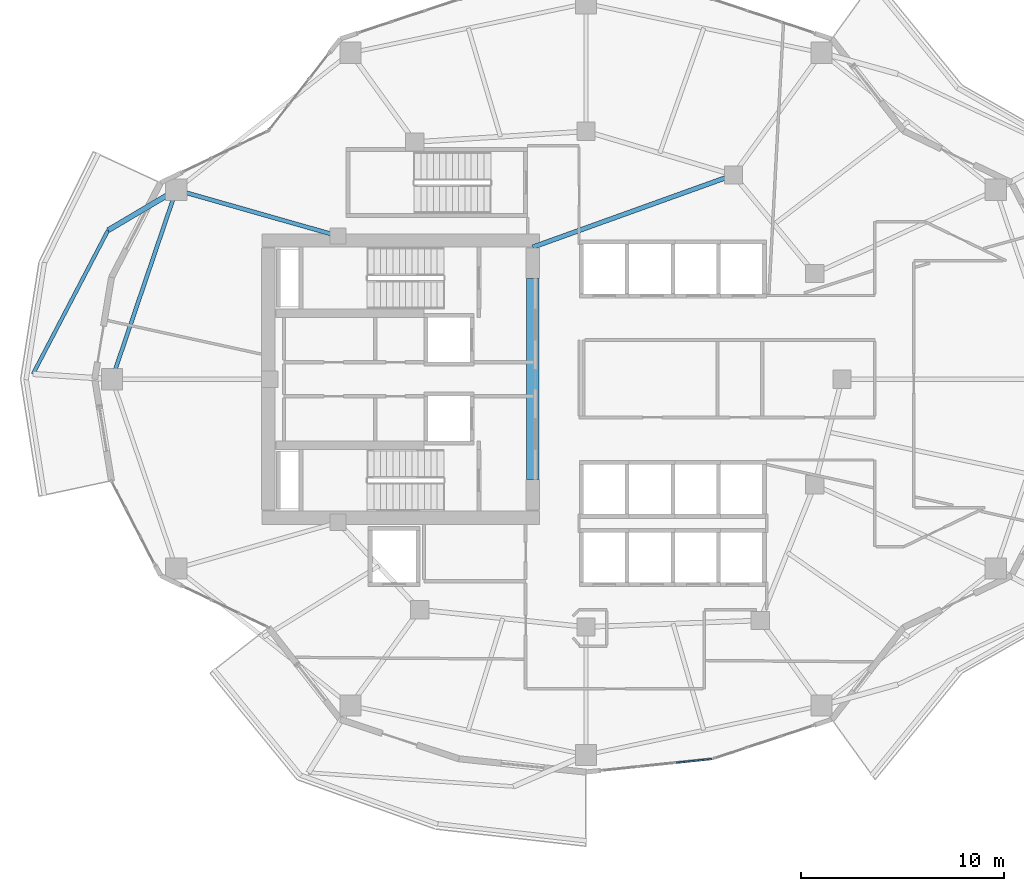
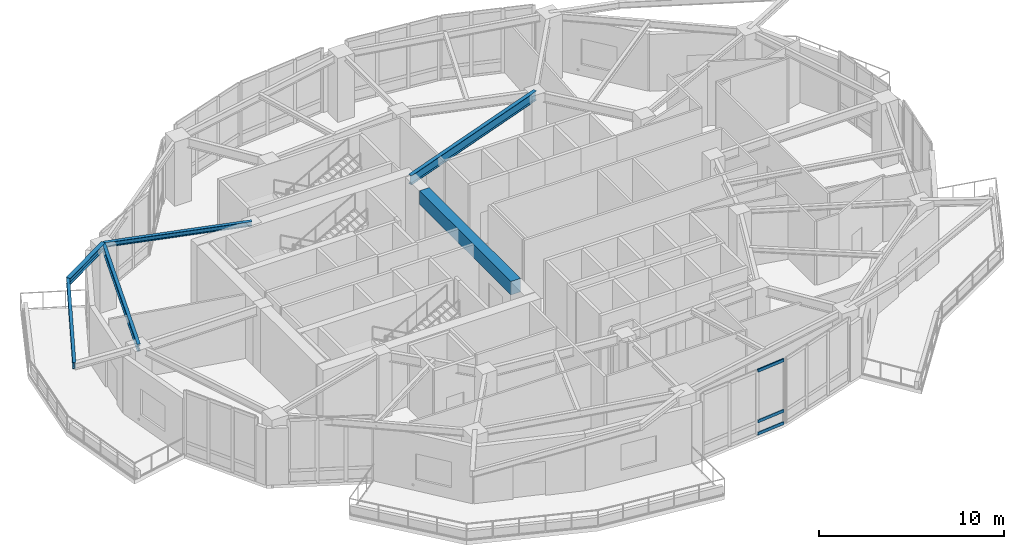
# One storey, part 3 of 16: 6 beams, 3 members, 1 element without a shape of its own.
"""IFC4 building model written with IfcOpenShell, lengths in metres."""

from ifc_helpers import new_model, si_unit, direction, frame, origin, origin_2d, place, context, subcontext, project, spatial, rectangle, i_section, extrude, material, layer, layer_set, material_profile, profile_set, type_object, element, aggregate, save


model = new_model("IFC4")

# Units and contexts
model_context = context("Model", 3, precision=1e-05, world=origin(), true_north=direction((0.0, 1.0)))
body_context = subcontext(model_context, "Body", "Model", "MODEL_VIEW")
ifc_project = project(units=[si_unit("LENGTHUNIT", "METRE"), si_unit("AREAUNIT", "SQUARE_METRE"), si_unit("VOLUMEUNIT", "CUBIC_METRE"), si_unit("PLANEANGLEUNIT", "RADIAN"), si_unit("MASSUNIT", "GRAM", prefix="KILO")], contexts=[model_context])

# Site, building, storey
site_placement = place(None, origin())
site = spatial("IfcSite", under=ifc_project, at=site_placement, CompositionType="ELEMENT")
building_placement = place(site_placement, origin())
building = spatial("IfcBuilding", under=site, at=building_placement, Name="Kolvaren Gate Tower and Convention Centre", CompositionType="ELEMENT")
storey_placement = place(building_placement, frame((0.0, 0.0, 100.800048828125)))
storey = spatial("IfcBuildingStorey", under=building, at=storey_placement, Name="L24", CompositionType="ELEMENT", Elevation=100.800048828125)

# Curtain wall, members
ifc_material_1 = material(Name="Anodized Architectural Aluminium Alloy 6063-T6", Category="aluminium")
ifc_layer = layer(ifc_material_1, 0.199951171875)
ifc_layer_set = layer_set([ifc_layer], Name="Anodized Architectural Aluminium Alloy 6063-T6")
curtain_wall_type = type_object("IfcCurtainWallType", Name="CW-SKY-GLZ", PredefinedType="NOTDEFINED", material=ifc_layer_set)
curtain_wall_placement = place(storey_placement, origin())
curtain_wall = element("IfcCurtainWall", 1, at=curtain_wall_placement, inside=storey, type_object=curtain_wall_type, Name="L24 Panoramic Structural Curtain Wall CW-18", PredefinedType="NOTDEFINED")
ifc_material_profile_1 = material_profile(ifc_material_1, rectangle(XDim=0.074951171875, YDim=0.199951171875, at=origin_2d()), Name="CW-MEM-TRN-200")
ifc_profile_set_1 = profile_set([ifc_material_profile_1], Name="Anodized Architectural Aluminium Alloy 6063-T6")
member_type = type_object("IfcMemberType", Name="CW-MEM-TRN-200", PredefinedType="USERDEFINED", material=ifc_profile_set_1)
member_1_placement = place(storey_placement, frame((34.577392578125, 8.118896484375, 0.037353515625), z_axis=(0.994494701097, 0.104786876521, 0.0), x_axis=(-0.104786876521, 0.994494701097, 0.0)))
member_1 = element("IfcMember", 2, at=member_1_placement, type_object=member_type, Name="CW-05 transom 3.1", ObjectType="TRANSOM", PredefinedType="USERDEFINED", context=body_context, shape_type="SweptSolid", body=[
    extrude(rectangle(XDim=0.074951171875, YDim=0.199951171875, at=origin_2d()), origin(), (0.0, 0.0, 1.0), 1.74267578125),
])
member_2_placement = place(storey_placement, frame((34.577392578125, 8.118896484375, 0.849853515625), z_axis=(0.994494701097, 0.104786876521, 0.0), x_axis=(-0.104786876521, 0.994494701097, 0.0)))
member_2 = element("IfcMember", 3, at=member_2_placement, type_object=member_type, Name="CW-05 transom 3.2", ObjectType="TRANSOM", PredefinedType="USERDEFINED", context=body_context, shape_type="SweptSolid", body=[
    extrude(rectangle(XDim=0.074951171875, YDim=0.199951171875, at=origin_2d()), origin(), (0.0, 0.0, 1.0), 1.74267578125),
])
member_3_placement = place(storey_placement, frame((34.577392578125, 8.118896484375, 4.1923828125), z_axis=(0.994494701097, 0.104786876521, 0.0), x_axis=(-0.104786876521, 0.994494701097, 0.0)))
member_3 = element("IfcMember", 4, at=member_3_placement, type_object=member_type, Name="CW-05 transom 3.3", ObjectType="TRANSOM", PredefinedType="USERDEFINED", context=body_context, shape_type="SweptSolid", body=[
    extrude(rectangle(XDim=0.074951171875, YDim=0.199951171875, at=origin_2d()), origin(), (0.0, 0.0, 1.0), 1.74267578125),
])
aggregate(curtain_wall, [member_1, member_2, member_3])

# Beams
ifc_material_2 = material(Name="Structural steel ASTM A992 Grade 345 MPa", Category="steel")
ifc_material_profile_2 = material_profile(ifc_material_2, i_section(OverallWidth=0.260009765625, OverallDepth=0.419921875, WebThickness=0.013427734375, FlangeThickness=0.0224609375, at=origin_2d()), Name="W410X132")
ifc_profile_set_2 = profile_set([ifc_material_profile_2], Name="Structural steel ASTM A992 Grade 345 MPa")
beam_type_1 = type_object("IfcBeamType", Name="STR-BM-W410X132", PredefinedType="BEAM", material=ifc_profile_set_2)
beam_1_placement = place(storey_placement, frame((9.94970703125, 36.318603515625, 4.0205078125), z_axis=(-0.860390154059, -0.509635931621, 0.0), x_axis=(0.509635931621, -0.860390154059, 0.0)))
element("IfcBeam", 5, at=beam_1_placement, inside=storey, type_object=beam_type_1, Name="Tower L25 Planted Balcony Outrigger Cantilever BC-2A", PredefinedType="BEAM", context=body_context, shape_type="SweptSolid", body=[
    extrude(i_section(OverallWidth=0.260009765625, OverallDepth=0.419921875, WebThickness=0.013427734375, FlangeThickness=0.0224609375, at=origin_2d()), origin(), (0.0, 0.0, 1.0), 3.89990234375),
])
ifc_material_profile_3 = material_profile(ifc_material_2, i_section(OverallWidth=0.22998046875, OverallDepth=0.616943359375, WebThickness=0.01318359375, FlangeThickness=0.022216796875, at=origin_2d()), Name="W610X140")
ifc_profile_set_3 = profile_set([ifc_material_profile_3], Name="Structural steel ASTM A992 Grade 345 MPa")
beam_type_2 = type_object("IfcBeamType", Name="STR-BM-W610X140", PredefinedType="BEAM", material=ifc_profile_set_3)
beam_2_placement = place(storey_placement, frame((27.5, 33.5, 3.92138671875), z_axis=(0.940961479908, 0.338513653093, 0.0), x_axis=(-0.338513653093, 0.940961479908, 0.0)))
element("IfcBeam", 6, at=beam_2_placement, inside=storey, type_object=beam_type_2, Name="Tower L24 Primary Ring Girder G-10", PredefinedType="BEAM", context=body_context, shape_type="SweptSolid", body=[
    extrude(i_section(OverallWidth=0.22998046875, OverallDepth=0.616943359375, WebThickness=0.01318359375, FlangeThickness=0.022216796875, at=origin_2d()), origin(), (0.0, 0.0, 1.0), 10.501708984375),
])
ifc_material_profile_4 = material_profile(ifc_material_2, i_section(OverallWidth=0.205078125, OverallDepth=0.31005859375, WebThickness=0.009521484375, FlangeThickness=0.016357421875, at=origin_2d()), Name="W310X74")
ifc_profile_set_4 = profile_set([ifc_material_profile_4], Name="Structural steel ASTM A992 Grade 345 MPa")
beam_type_3 = type_object("IfcBeamType", Name="STR-JS-W310X74", PredefinedType="JOIST", material=ifc_profile_set_4)
beam_3_placement = place(storey_placement, frame((17.9140625, 34.050048828125, 4.074951171875), z_axis=(-0.961746134311, 0.27394228067, 0.0), x_axis=(-0.27394228067, -0.961746134311, 0.0)))
element("IfcBeam", 7, at=beam_3_placement, inside=storey, type_object=beam_type_3, Name="Tower L24 Radial Floor Girder RB-06", PredefinedType="JOIST", context=body_context, shape_type="SweptSolid", body=[
    extrude(i_section(OverallWidth=0.205078125, OverallDepth=0.31005859375, WebThickness=0.009521484375, FlangeThickness=0.016357421875, at=origin_2d()), origin(), (0.0, 0.0, 1.0), 8.28125),
])
ifc_material_3 = material(Name="Concrete C60/75", Category="concrete")
ifc_material_profile_5 = material_profile(ifc_material_3, rectangle(XDim=0.60009765625, YDim=0.89990234375, at=origin_2d()), Name="RC-BM-600X900")
ifc_profile_set_5 = profile_set([ifc_material_profile_5], Name="Concrete C60/75")
beam_type_4 = type_object("IfcBeamType", Name="STR-LN-RC600X900", PredefinedType="LINTEL", material=ifc_profile_set_5)
beam_4_placement = place(storey_placement, frame((27.5, 22.050048828125, 3.780029296875), z_axis=(0.0, 1.0, 0.0), x_axis=(-1.0, 0.0, 0.0)))
element("IfcBeam", 8, at=beam_4_placement, inside=storey, type_object=beam_type_4, Name="Tower L24 Core Ductile Coupling Beam CB-01", PredefinedType="LINTEL", context=body_context, shape_type="SweptSolid", body=[
    extrude(rectangle(XDim=0.60009765625, YDim=0.89990234375, at=origin_2d()), origin(), (0.0, 0.0, 1.0), 9.89990234375),
])
ifc_material_profile_6 = material_profile(ifc_material_2, i_section(OverallWidth=0.180908203125, OverallDepth=0.4169921875, WebThickness=0.010986328125, FlangeThickness=0.018310546875, at=origin_2d()), Name="W410X85")
ifc_profile_set_6 = profile_set([ifc_material_profile_6], Name="Structural steel ASTM A992 Grade 345 MPa")
beam_type_5 = type_object("IfcBeamType", Name="STR-SP-W410X85", PredefinedType="SPANDREL", material=ifc_profile_set_6)
beam_5_placement = place(storey_placement, frame((6.59423828125, 34.3310546875, 4.02197265625), z_axis=(-0.463226370738, -0.886239995403, 0.0), x_axis=(0.886239995403, -0.463226370738, 0.0)))
element("IfcBeam", 9, at=beam_5_placement, inside=storey, type_object=beam_type_5, Name="Tower L25 Planted Balcony Header Tie Beam BT-2", PredefinedType="SPANDREL", context=body_context, shape_type="SweptSolid", body=[
    extrude(i_section(OverallWidth=0.180908203125, OverallDepth=0.4169921875, WebThickness=0.010986328125, FlangeThickness=0.018310546875, at=origin_2d()), origin(), (0.0, 0.0, 1.0), 7.983642578125),
])
ifc_material_profile_7 = material_profile(ifc_material_2, i_section(OverallWidth=0.194091796875, OverallDepth=0.468994140625, WebThickness=0.0126953125, FlangeThickness=0.0205078125, at=origin_2d()), Name="W460X106")
ifc_profile_set_7 = profile_set([ifc_material_profile_7], Name="Structural steel ASTM A992 Grade 345 MPa")
beam_type_6 = type_object("IfcBeamType", Name="STR-SP-W460X106", PredefinedType="SPANDREL", material=ifc_profile_set_7)
beam_6_placement = place(storey_placement, frame((9.94970703125, 36.318603515625, 3.995361328125), z_axis=(-0.321336471485, -0.946965084939, 0.0), x_axis=(0.946965084939, -0.321336471485, 0.0)))
element("IfcBeam", 10, at=beam_6_placement, inside=storey, type_object=beam_type_6, Name="Tower L24 Perimeter Spandrel Beam SP-06", PredefinedType="SPANDREL", context=body_context, shape_type="SweptSolid", body=[
    extrude(i_section(OverallWidth=0.194091796875, OverallDepth=0.468994140625, WebThickness=0.0126953125, FlangeThickness=0.0205078125, at=origin_2d()), origin(), (0.0, 0.0, 1.0), 9.840576171875),
])

save(model, "model.ifc")
